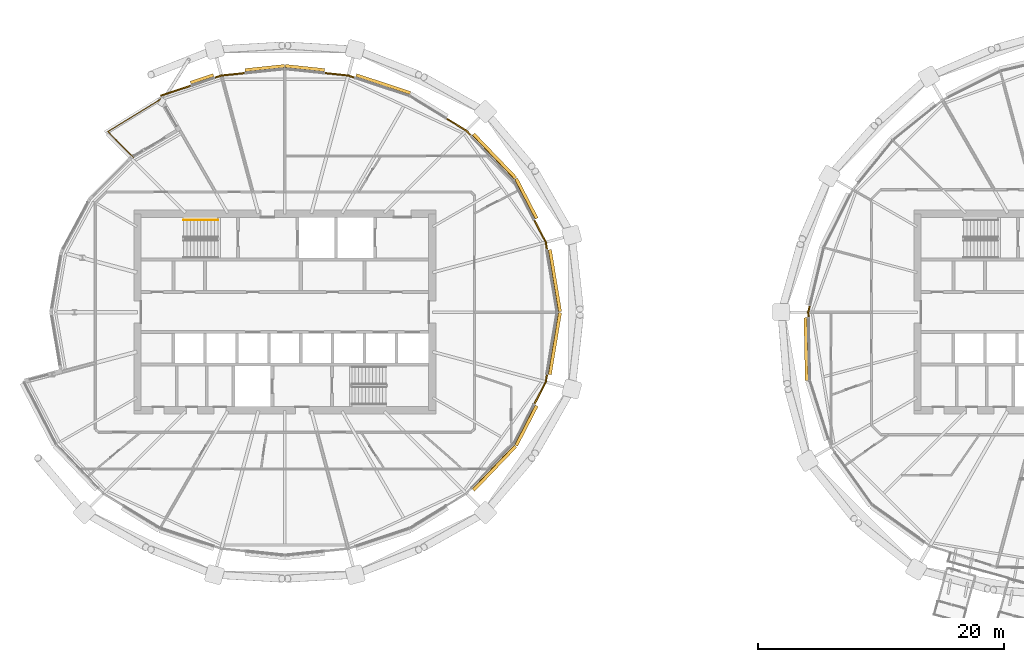
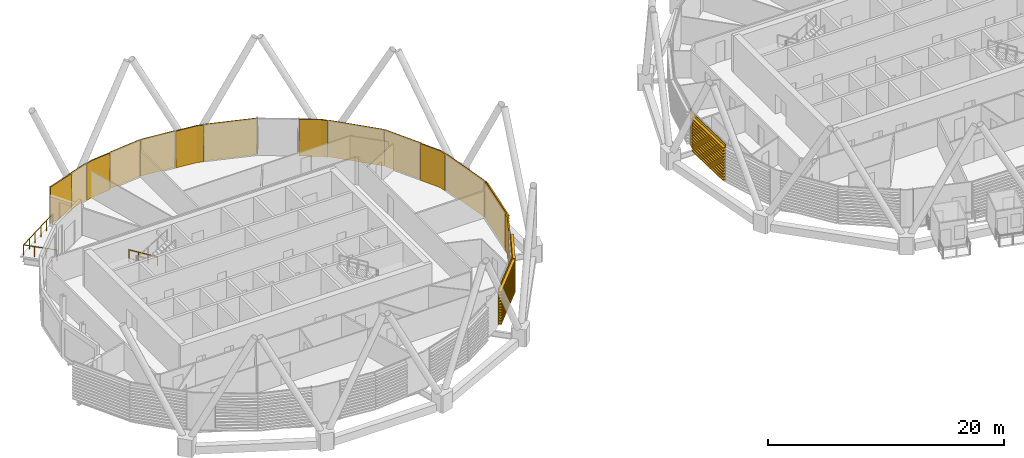
# One storey, part 33 of 37: 18 coverings, 2 railings.
"""IFC4 building model written with IfcOpenShell, lengths in metres."""

import ifcopenshell
import ifcopenshell.guid

model = None  # the IFC model being written
_history = None  # IfcOwnerHistory: only IFC2X3 demands one
_inside = {}  # id of a spatial element -> (the spatial element, [elements in it])
_under = {}  # id of a project, library or spatial element -> (it, [spatial elements below it])
_declared = {}  # id of a project -> (the project, [libraries it declares])
_typed = {}  # id of a type object -> (the type object, [elements of that type])
_made_of = {}  # id of a material, layer set ... -> (it, [elements and type objects made of it])


def new_model(schema):
    """Start an empty IFC model of exactly this schema.

    Asked for "IFC4X3", IfcOpenShell would pick the latest addendum, in which some entities
    have other attributes; the version numbers below select the first issue.
    IFC2X3 requires an IfcOwnerHistory on every rooted entity: one is made here for all.
    """
    global model, _history
    if schema == "IFC4X3":
        model = ifcopenshell.file(schema_version=(4, 3, 0, 0))
    else:
        model = ifcopenshell.file(schema=schema)
    _inside.clear()
    _under.clear()
    _declared.clear()
    _typed.clear()
    _made_of.clear()
    _history = None
    if model.schema == "IFC2X3":
        org = make("IfcOrganization", Name="unknown")
        user = make(
            "IfcPersonAndOrganization",
            ThePerson=make("IfcPerson", FamilyName="unknown"),
            TheOrganization=org,
        )
        app = make(
            "IfcApplication",
            ApplicationDeveloper=org,
            Version="unknown",
            ApplicationFullName="unknown",
            ApplicationIdentifier="unknown",
        )
        _history = make(
            "IfcOwnerHistory",
            OwningUser=user,
            OwningApplication=app,
            ChangeAction="ADDED",
            CreationDate=0,
        )
    return model


def make(cls, **values):
    """One entity of the class cls with the attributes given. An attribute that is None is left unset."""
    return model.create_entity(
        cls, **{name: value for name, value in values.items() if value is not None}
    )


def rooted(cls, **values):
    """An entity with a GlobalId (a new one), such as an element, a storey or a relation."""
    return make(cls, GlobalId=ifcopenshell.guid.new(), OwnerHistory=_history, **values)


def si_unit(unit_type, name, prefix=None):
    """IfcSIUnit, for example si_unit("LENGTHUNIT", "METRE", prefix="MILLI")."""
    return make("IfcSIUnit", UnitType=unit_type, Prefix=prefix, Name=name)


def assignment(units):
    """IfcUnitAssignment: the units of a project."""
    return None if units is None else make("IfcUnitAssignment", Units=units)


def point(xyz):
    """IfcCartesianPoint."""
    return None if xyz is None else make("IfcCartesianPoint", Coordinates=xyz)


def direction(xyz):
    """IfcDirection."""
    return None if xyz is None else make("IfcDirection", DirectionRatios=xyz)


def frame(location, z_axis=None, x_axis=None):
    """IfcAxis2Placement3D, a coordinate frame: its origin and axes. An axis left out is left unset."""
    return make(
        "IfcAxis2Placement3D",
        Location=point(location),
        Axis=direction(z_axis),
        RefDirection=direction(x_axis),
    )


def frame_2d(location, x_axis=None):
    """IfcAxis2Placement2D, a coordinate frame in the plane: its origin and x axis."""
    return make(
        "IfcAxis2Placement2D", Location=point(location), RefDirection=direction(x_axis)
    )


def origin():
    """The frame at (0, 0, 0) with its axes left unset."""
    return frame((0.0, 0.0, 0.0))


def origin_2d():
    """The frame at (0, 0) in the plane with its x axis left unset."""
    return frame_2d((0.0, 0.0))


def place(relative_to, where):
    """IfcLocalPlacement: puts the frame where relative to a parent placement (None: the world)."""
    return make(
        "IfcLocalPlacement", PlacementRelTo=relative_to, RelativePlacement=where
    )


def context(
    kind, dimensions, precision=None, world=None, true_north=None, identifier=None
):
    """IfcGeometricRepresentationContext, for example the 3D "Model" context."""
    return make(
        "IfcGeometricRepresentationContext",
        ContextIdentifier=identifier,
        ContextType=kind,
        CoordinateSpaceDimension=dimensions,
        Precision=precision,
        WorldCoordinateSystem=world,
        TrueNorth=true_north,
    )


def subcontext(parent, identifier, kind, view, scale=None):
    """IfcGeometricRepresentationSubContext, for example "Body" below "Model"."""
    return make(
        "IfcGeometricRepresentationSubContext",
        ContextIdentifier=identifier,
        ContextType=kind,
        ParentContext=parent,
        TargetScale=scale,
        TargetView=view,
    )


def project(units=None, contexts=None):
    """IfcProject with its units and contexts."""
    return rooted(
        "IfcProject",
        Name="project",
        RepresentationContexts=contexts,
        UnitsInContext=assignment(units),
    )


def spatial(cls, under=None, at=None, **own):
    """A site, building, storey or space (cls), placed at a placement, below another one or the project."""
    s = rooted(cls, ObjectPlacement=at, **own)
    if under is not None:
        _under.setdefault(under.id(), (under, []))[1].append(s)
    return s


def polyline(points):
    """IfcPolyline through the points."""
    return make("IfcPolyline", Points=[point(p) for p in points])


def profile(cls, at=None, kind="AREA", **sizes):
    """A parametric profile (cls). Its sizes go by their IFC names, for example OverallWidth=200.0."""
    return make(cls, ProfileType=kind, Position=at, **sizes)


def circle(**sizes):
    """IfcCircleProfileDef."""
    return profile("IfcCircleProfileDef", **sizes)


def outline(outer, holes=None, kind="AREA"):
    """IfcArbitraryClosedProfileDef: a profile drawn as a closed curve; with holes, ...WithVoids."""
    if holes is None:
        return make("IfcArbitraryClosedProfileDef", ProfileType=kind, OuterCurve=outer)
    return make(
        "IfcArbitraryProfileDefWithVoids",
        ProfileType=kind,
        OuterCurve=outer,
        InnerCurves=holes,
    )


def extrude(swept, where, along, depth):
    """IfcExtrudedAreaSolid: the profile swept, set in the frame where, extruded along a direction by depth."""
    return make(
        "IfcExtrudedAreaSolid",
        SweptArea=swept,
        Position=where,
        ExtrudedDirection=direction(along),
        Depth=depth,
    )


def shape(context_of_items, identifier, shape_type, items):
    """IfcShapeRepresentation: the items that make up one representation, for example the "Body"."""
    return make(
        "IfcShapeRepresentation",
        ContextOfItems=context_of_items,
        RepresentationIdentifier=identifier,
        RepresentationType=shape_type,
        Items=items,
    )


def material(Name=None, Category=None):
    """IfcMaterial."""
    return make("IfcMaterial", Name=Name, Category=Category)


def layer(
    of_material, thickness, ventilated=None, Name=None, Category=None, Priority=None
):
    """IfcMaterialLayer: one layer of a wall or slab, of a material (None: an air gap)."""
    return make(
        "IfcMaterialLayer",
        Material=of_material,
        LayerThickness=thickness,
        IsVentilated=ventilated,
        Name=Name,
        Category=Category,
        Priority=Priority,
    )


def layer_set(layers, Name=None):
    """IfcMaterialLayerSet."""
    return make("IfcMaterialLayerSet", MaterialLayers=layers, LayerSetName=Name)


def material_profile(
    of_material, cross_section, Name=None, Category=None, Priority=None
):
    """IfcMaterialProfile: a cross section and its material."""
    return make(
        "IfcMaterialProfile",
        Name=Name,
        Material=of_material,
        Profile=cross_section,
        Priority=Priority,
        Category=Category,
    )


def profile_set(profiles, Name=None, composite=None):
    """IfcMaterialProfileSet."""
    return make(
        "IfcMaterialProfileSet",
        Name=Name,
        MaterialProfiles=profiles,
        CompositeProfile=composite,
    )


def made_of(thing, what):
    """Note that an element or type object is made of a material, layer set ...; save() writes the relation."""
    if what is not None:
        _made_of.setdefault(what.id(), (what, []))[1].append(thing)
    return thing


def type_object(cls, material=None, **own):
    """A type object (cls), such as IfcWallType, which elements share."""
    return made_of(rooted(cls, **own), material)


def element(
    cls,
    number,
    at=None,
    inside=None,
    cuts=None,
    type_object=None,
    material=None,
    context=None,
    identifier="Body",
    shape_type=None,
    held_by="IfcProductDefinitionShape",
    body=None,
    shapes=None,
    **own,
):
    """One element of the class cls, such as IfcWall. Its Tag is "e" and its number.

    at: its placement. inside: the storey or other place that contains it. cuts: it is an
    opening in that element (IfcRelVoidsElement). A single representation is given by context,
    identifier, shape_type and body (its items); several are given by shapes. held_by: the class
    of the entity that holds the representations. save() writes the other relations.
    """
    e = rooted(cls, Tag="e%d" % number, ObjectPlacement=at, **own)
    if body is not None:
        shapes = [shape(context, identifier, shape_type, body)]
    if shapes is not None:
        e.Representation = make(held_by, Representations=shapes)
    if inside is not None:
        _inside.setdefault(inside.id(), (inside, []))[1].append(e)
    if cuts is not None:
        rooted(
            "IfcRelVoidsElement", RelatingBuildingElement=cuts, RelatedOpeningElement=e
        )
    if type_object is not None:
        _typed.setdefault(type_object.id(), (type_object, []))[1].append(e)
    return made_of(e, material)


def aggregate(whole, parts):
    """IfcRelAggregates: a whole, such as a stair, and the parts it consists of."""
    return rooted("IfcRelAggregates", RelatingObject=whole, RelatedObjects=parts)


def save(model, path):
    """Write the relations noted so far, then the file.

    IfcRelAggregates (storeys below a building ...), IfcRelContainedInSpatialStructure (elements
    in a storey), IfcRelDefinesByType, IfcRelAssociatesMaterial and IfcRelDeclares: one each for
    every whole, place, type object, material and project.
    """
    for whole, parts in _under.values():
        aggregate(whole, parts)
    for where, things in _inside.values():
        rooted(
            "IfcRelContainedInSpatialStructure",
            RelatedElements=things,
            RelatingStructure=where,
        )
    for kind, things in _typed.values():
        rooted("IfcRelDefinesByType", RelatedObjects=things, RelatingType=kind)
    for what, things in _made_of.values():
        rooted("IfcRelAssociatesMaterial", RelatedObjects=things, RelatingMaterial=what)
    for by, libraries in _declared.values():
        rooted("IfcRelDeclares", RelatingContext=by, RelatedDefinitions=libraries)
    model.write(path)


model = new_model("IFC4")

# Units and contexts
model_context = context("Model", 3, precision=1e-05, world=origin(), true_north=direction((0.0, 1.0)))
body_context = subcontext(model_context, "Body", "Model", "MODEL_VIEW")
ifc_project = project(units=[si_unit("LENGTHUNIT", "METRE"), si_unit("AREAUNIT", "SQUARE_METRE"), si_unit("VOLUMEUNIT", "CUBIC_METRE"), si_unit("PLANEANGLEUNIT", "RADIAN"), si_unit("MASSUNIT", "GRAM", prefix="KILO")], contexts=[model_context])

# Site, building, storey
site_placement = place(None, origin())
site = spatial("IfcSite", under=ifc_project, at=site_placement, CompositionType="ELEMENT")
building_placement = place(site_placement, origin())
building = spatial("IfcBuilding", under=site, at=building_placement, Name="Rimbun Link Towers", CompositionType="ELEMENT")
storey_placement = place(building_placement, frame((0.0, 0.0, 170.300048828125)))
storey = spatial("IfcBuildingStorey", under=building, at=storey_placement, Name="L41", CompositionType="ELEMENT", Elevation=170.300048828125)

# Railing
ifc_material_1 = material(Name="Stainless steel grade 316", Category="steel")
railing_type_1 = type_object("IfcRailingType", Name="GUARD stainless rail and posts", PredefinedType="GUARDRAIL", material=ifc_material_1)
railing_1_placement = place(storey_placement, frame((-41.780029296875, 17.383056640625, 0.0)))
element("IfcRailing", 1, at=railing_1_placement, inside=storey, type_object=railing_type_1, Name="GUARD", PredefinedType="GUARDRAIL", context=body_context, shape_type="SweptSolid", body=[
    extrude(circle(Radius=0.02392578125, at=origin_2d()), frame((0.0, 0.0, 1.076171875), z_axis=(-0.852205778347, -0.523206757748, 0.0), x_axis=(0.523206757748, -0.852205778347, 0.0)), (0.0, 0.0, 1.0), 5.140380859375),
    extrude(circle(Radius=0.02392578125, at=origin_2d()), frame((-4.380615234375, -2.689453125, 1.076171875), z_axis=(0.707065353599, -0.707148206347, 0.0), x_axis=(0.707148206347, 0.707065353599, 0.0)), (0.0, 0.0, 1.0), 2.94677734375),
    extrude(circle(Radius=0.02099609375, at=origin_2d()), origin(), (0.0, 0.0, 1.0), 1.052001953125),
    extrude(circle(Radius=0.02099609375, at=origin_2d()), frame((-0.876220703125, -0.537841796875, 0.0)), (0.0, 0.0, 1.0), 1.052001953125),
    extrude(circle(Radius=0.02099609375, at=origin_2d()), frame((-1.752197265625, -1.07568359375, 0.0)), (0.0, 0.0, 1.0), 1.052001953125),
    extrude(circle(Radius=0.02099609375, at=origin_2d()), frame((-2.62841796875, -1.61376953125, 0.0)), (0.0, 0.0, 1.0), 1.052001953125),
    extrude(circle(Radius=0.02099609375, at=origin_2d()), frame((-3.50439453125, -2.151611328125, 0.0)), (0.0, 0.0, 1.0), 1.052001953125),
    extrude(circle(Radius=0.02099609375, at=origin_2d()), frame((-4.380615234375, -2.689453125, 0.0)), (0.0, 0.0, 1.0), 1.052001953125),
    extrude(circle(Radius=0.02099609375, at=origin_2d()), frame((-3.68603515625, -3.384033203125, 0.0)), (0.0, 0.0, 1.0), 1.052001953125),
    extrude(circle(Radius=0.02099609375, at=origin_2d()), frame((-2.99169921875, -4.07861328125, 0.0)), (0.0, 0.0, 1.0), 1.052001953125),
    extrude(circle(Radius=0.02099609375, at=origin_2d()), frame((-2.297119140625, -4.773193359375, 0.0)), (0.0, 0.0, 1.0), 1.052001953125),
])

# Coverings
ifc_material_2 = material(Name="Terracotta", Category="masonry")
ifc_layer = layer(ifc_material_2, 0.1201171875)
ifc_layer_set = layer_set([ifc_layer], Name="LINK PIER terracotta cladding 120")
covering_type_1 = type_object("IfcCoveringType", Name="LINK PIER terracotta cladding 120", PredefinedType="CLADDING", material=ifc_layer_set)
covering_1_placement = place(storey_placement, origin())
element("IfcCovering", 2, at=covering_1_placement, inside=storey, type_object=covering_type_1, Name="LINK PIER cladding", PredefinedType="CLADDING", context=body_context, shape_type="SweptSolid", body=[
    extrude(outline(polyline([(-11.4931640625, 7.470458984375), (-10.56494140625, 5.676513671875), (-10.46435546875, 5.064697265625), (-10.345947265625, 5.084228515625), (-10.449462890625, 5.71484375), (-11.38671875, 7.525634765625), (-11.4931640625, 7.470458984375)])), origin(), (0.0, 0.0, 1.0), 3.800048828125),
])
covering_2_placement = place(storey_placement, origin())
element("IfcCovering", 3, at=covering_2_placement, inside=storey, type_object=covering_type_1, Name="LINK PIER cladding", PredefinedType="CLADDING", context=body_context, shape_type="SweptSolid", body=[
    extrude(outline(polyline([(-18.6123046875, 15.709716796875), (-17.018798828125, 14.731201171875), (-16.624267578125, 14.31982421875), (-16.53759765625, 14.40283203125), (-16.94287109375, 14.825439453125), (-18.549560546875, 15.81201171875), (-18.6123046875, 15.709716796875)])), origin(), (0.0, 0.0, 1.0), 3.800048828125),
])
covering_3_placement = place(storey_placement, origin())
element("IfcCovering", 4, at=covering_3_placement, inside=storey, type_object=covering_type_1, Name="LINK PIER cladding", PredefinedType="CLADDING", context=body_context, shape_type="SweptSolid", body=[
    extrude(outline(polyline([(-28.512939453125, 19.40771484375), (-26.603515625, 19.20654296875), (-26.0625, 19.02734375), (-26.02490234375, 19.14111328125), (-26.578125, 19.324462890625), (-28.50048828125, 19.527099609375), (-28.512939453125, 19.40771484375)])), origin(), (0.0, 0.0, 1.0), 3.800048828125),
])
covering_4_placement = place(storey_placement, origin())
element("IfcCovering", 5, at=covering_4_placement, inside=storey, type_object=covering_type_1, Name="LINK PIER cladding", PredefinedType="CLADDING", context=body_context, shape_type="SweptSolid", body=[
    extrude(outline(polyline([(-41.856201171875, 17.56298828125), (-39.35009765625, 18.3935546875), (-39.387939453125, 18.50732421875), (-41.893798828125, 17.677001953125), (-41.856201171875, 17.56298828125)])), origin(), (0.0, 0.0, 1.0), 3.800048828125),
])
covering_5_placement = place(storey_placement, origin())
element("IfcCovering", 6, at=covering_5_placement, inside=storey, type_object=covering_type_1, Name="LINK PIER cladding", PredefinedType="CLADDING", context=body_context, shape_type="SweptSolid", body=[
    extrude(outline(polyline([(-37.4375, 19.02734375), (-36.896484375, 19.20654296875), (-34.987060546875, 19.40771484375), (-34.99951171875, 19.527099609375), (-36.921875, 19.324462890625), (-37.47509765625, 19.14111328125), (-37.4375, 19.02734375)])), origin(), (0.0, 0.0, 1.0), 3.800048828125),
])
covering_6_placement = place(storey_placement, origin())
element("IfcCovering", 7, at=covering_6_placement, inside=storey, type_object=covering_type_1, Name="LINK PIER cladding", PredefinedType="CLADDING", context=body_context, shape_type="SweptSolid", body=[
    extrude(outline(polyline([(-10.46435546875, -5.064697265625), (-10.56494140625, -5.676513671875), (-11.4931640625, -7.470458984375), (-11.38671875, -7.525634765625), (-10.449462890625, -5.71484375), (-10.345947265625, -5.084228515625), (-10.46435546875, -5.064697265625)])), origin(), (0.0, 0.0, 1.0), 3.800048828125),
])
covering_7_placement = place(storey_placement, origin())
element("IfcCovering", 8, at=covering_7_placement, inside=storey, type_object=covering_type_1, Name="LINK PIER cladding", PredefinedType="CLADDING", context=body_context, shape_type="SweptSolid", body=[
    extrude(outline(polyline([(10.92578125, -0.419921875), (10.9169921875, 0.0), (11.037841796875, 0.505859375), (10.921142578125, 0.53369140625), (10.796630859375, 0.012939453125), (10.8056640625, -0.42236328125), (10.92578125, -0.419921875)])), origin(), (0.0, 0.0, 1.0), 3.800048828125),
])

# Railing
ifc_material_3 = material(Name="Stainless steel grade 316", Category="steel")
railing_type_2 = type_object("IfcRailingType", Name="Stair handrail", PredefinedType="HANDRAIL", material=ifc_material_3)
railing_2_placement = place(storey_placement, frame((-37.199951171875, 7.5, 0.172607421875)))
element("IfcRailing", 9, at=railing_2_placement, inside=storey, type_object=railing_type_2, Name="L41 ST1 stair handrail 1", PredefinedType="HANDRAIL", context=body_context, shape_type="SweptSolid", body=[
    extrude(circle(Radius=0.02392578125, at=origin_2d()), frame((0.0, 0.0, 0.8759765625), z_axis=(-0.851089632645, 0.0, 0.525020415988), x_axis=(0.0, -1.0, 0.0)), (0.0, 0.0, 1.0), 3.2900390625),
    extrude(circle(Radius=0.02099609375, at=origin_2d()), origin(), (0.0, 0.0, 1.0), 0.851806640625),
    extrude(circle(Radius=0.02099609375, at=origin_2d()), frame((-0.933349609375, 0.0, 0.57568359375)), (0.0, 0.0, 1.0), 0.851806640625),
    extrude(circle(Radius=0.02099609375, at=origin_2d()), frame((-1.86669921875, 0.0, 1.151611328125)), (0.0, 0.0, 1.0), 0.851806640625),
    extrude(circle(Radius=0.02099609375, at=origin_2d()), frame((-2.800048828125, 0.0, 1.727294921875)), (0.0, 0.0, 1.0), 0.851806640625),
])

# Coverings
ifc_material_4 = material(Name="Terracotta", Category="masonry")
ifc_material_profile = material_profile(ifc_material_4, outline(polyline([(0.123046875, 0.0), (0.1630859375, 0.0), (0.1630859375, 0.10009765625), (0.423095703125, 0.10009765625), (0.423095703125, 0.219970703125), (0.1630859375, 0.219970703125), (0.1630859375, 0.39990234375), (0.423095703125, 0.39990234375), (0.423095703125, 0.52001953125), (0.1630859375, 0.52001953125), (0.1630859375, 0.699951171875), (0.423095703125, 0.699951171875), (0.423095703125, 0.820068359375), (0.1630859375, 0.820068359375), (0.1630859375, 1.0), (0.423095703125, 1.0), (0.423095703125, 1.1201171875), (0.1630859375, 1.1201171875), (0.1630859375, 1.300048828125), (0.423095703125, 1.300048828125), (0.423095703125, 1.419921875), (0.1630859375, 1.419921875), (0.1630859375, 1.60009765625), (0.423095703125, 1.60009765625), (0.423095703125, 1.719970703125), (0.1630859375, 1.719970703125), (0.1630859375, 1.89990234375), (0.423095703125, 1.89990234375), (0.423095703125, 2.02001953125), (0.1630859375, 2.02001953125), (0.1630859375, 2.199951171875), (0.423095703125, 2.199951171875), (0.423095703125, 2.320068359375), (0.1630859375, 2.320068359375), (0.1630859375, 2.5), (0.423095703125, 2.5), (0.423095703125, 2.6201171875), (0.1630859375, 2.6201171875), (0.1630859375, 2.800048828125), (0.423095703125, 2.800048828125), (0.423095703125, 2.919921875), (0.1630859375, 2.919921875), (0.1630859375, 3.10009765625), (0.423095703125, 3.10009765625), (0.423095703125, 3.219970703125), (0.1630859375, 3.219970703125), (0.1630859375, 3.39990234375), (0.423095703125, 3.39990234375), (0.423095703125, 3.52001953125), (0.1630859375, 3.52001953125), (0.1630859375, 3.800048828125), (0.123046875, 3.800048828125), (0.123046875, 0.0)])), Name="BAGUETTE 120X300")
ifc_profile_set = profile_set([ifc_material_profile], Name="Terracotta")
covering_type_2 = type_object("IfcCoveringType", Name="TERRACOTTA BAGUETTE 120X300 H3800", PredefinedType="CLADDING", material=ifc_profile_set)
covering_8_placement = place(storey_placement, frame((-10.45947265625, 5.03515625, 0.0), z_axis=(0.1622416992, -0.986751048158, 0.0), x_axis=(0.986751048158, 0.1622416992, 0.0)))
element("IfcCovering", 10, at=covering_8_placement, inside=storey, type_object=covering_type_2, Name="TERRACOTTA BAGUETTE", PredefinedType="CLADDING", context=body_context, shape_type="SweptSolid", body=[
    extrude(outline(polyline([(0.123046875, 0.0), (0.1630859375, 0.0), (0.1630859375, 0.10009765625), (0.423095703125, 0.10009765625), (0.423095703125, 0.219970703125), (0.1630859375, 0.219970703125), (0.1630859375, 0.39990234375), (0.423095703125, 0.39990234375), (0.423095703125, 0.52001953125), (0.1630859375, 0.52001953125), (0.1630859375, 0.699951171875), (0.423095703125, 0.699951171875), (0.423095703125, 0.820068359375), (0.1630859375, 0.820068359375), (0.1630859375, 1.0), (0.423095703125, 1.0), (0.423095703125, 1.1201171875), (0.1630859375, 1.1201171875), (0.1630859375, 1.300048828125), (0.423095703125, 1.300048828125), (0.423095703125, 1.419921875), (0.1630859375, 1.419921875), (0.1630859375, 1.60009765625), (0.423095703125, 1.60009765625), (0.423095703125, 1.719970703125), (0.1630859375, 1.719970703125), (0.1630859375, 1.89990234375), (0.423095703125, 1.89990234375), (0.423095703125, 2.02001953125), (0.1630859375, 2.02001953125), (0.1630859375, 2.199951171875), (0.423095703125, 2.199951171875), (0.423095703125, 2.320068359375), (0.1630859375, 2.320068359375), (0.1630859375, 2.5), (0.423095703125, 2.5), (0.423095703125, 2.6201171875), (0.1630859375, 2.6201171875), (0.1630859375, 2.800048828125), (0.423095703125, 2.800048828125), (0.423095703125, 2.919921875), (0.1630859375, 2.919921875), (0.1630859375, 3.10009765625), (0.423095703125, 3.10009765625), (0.423095703125, 3.219970703125), (0.1630859375, 3.219970703125), (0.1630859375, 3.39990234375), (0.423095703125, 3.39990234375), (0.423095703125, 3.52001953125), (0.1630859375, 3.52001953125), (0.1630859375, 3.800048828125), (0.123046875, 3.800048828125), (0.123046875, 0.0)])), origin(), (0.0, 0.0, 1.0), 5.102783203125),
])
covering_9_placement = place(storey_placement, frame((-13.176513671875, 10.723388671875, 0.0), z_axis=(0.459591128129, -0.888130618178, 0.0), x_axis=(0.888130618178, 0.459591128129, 0.0)))
element("IfcCovering", 11, at=covering_9_placement, inside=storey, type_object=covering_type_2, Name="TERRACOTTA BAGUETTE", PredefinedType="CLADDING", context=body_context, shape_type="SweptSolid", body=[
    extrude(outline(polyline([(0.123046875, 0.0), (0.1630859375, 0.0), (0.1630859375, 0.10009765625), (0.423095703125, 0.10009765625), (0.423095703125, 0.219970703125), (0.1630859375, 0.219970703125), (0.1630859375, 0.39990234375), (0.423095703125, 0.39990234375), (0.423095703125, 0.52001953125), (0.1630859375, 0.52001953125), (0.1630859375, 0.699951171875), (0.423095703125, 0.699951171875), (0.423095703125, 0.820068359375), (0.1630859375, 0.820068359375), (0.1630859375, 1.0), (0.423095703125, 1.0), (0.423095703125, 1.1201171875), (0.1630859375, 1.1201171875), (0.1630859375, 1.300048828125), (0.423095703125, 1.300048828125), (0.423095703125, 1.419921875), (0.1630859375, 1.419921875), (0.1630859375, 1.60009765625), (0.423095703125, 1.60009765625), (0.423095703125, 1.719970703125), (0.1630859375, 1.719970703125), (0.1630859375, 1.89990234375), (0.423095703125, 1.89990234375), (0.423095703125, 2.02001953125), (0.1630859375, 2.02001953125), (0.1630859375, 2.199951171875), (0.423095703125, 2.199951171875), (0.423095703125, 2.320068359375), (0.1630859375, 2.320068359375), (0.1630859375, 2.5), (0.423095703125, 2.5), (0.423095703125, 2.6201171875), (0.1630859375, 2.6201171875), (0.1630859375, 2.800048828125), (0.423095703125, 2.800048828125), (0.423095703125, 2.919921875), (0.1630859375, 2.919921875), (0.1630859375, 3.10009765625), (0.423095703125, 3.10009765625), (0.423095703125, 3.219970703125), (0.1630859375, 3.219970703125), (0.1630859375, 3.39990234375), (0.423095703125, 3.39990234375), (0.423095703125, 3.52001953125), (0.1630859375, 3.52001953125), (0.1630859375, 3.800048828125), (0.123046875, 3.800048828125), (0.123046875, 0.0)])), origin(), (0.0, 0.0, 1.0), 3.63232421875),
])
covering_10_placement = place(storey_placement, frame((-16.603515625, 14.298095703125, 0.0), z_axis=(0.692035988, -0.721863000377, 0.0), x_axis=(0.721863000377, 0.692035988, 0.0)))
element("IfcCovering", 12, at=covering_10_placement, inside=storey, type_object=covering_type_2, Name="TERRACOTTA BAGUETTE", PredefinedType="CLADDING", context=body_context, shape_type="SweptSolid", body=[
    extrude(outline(polyline([(0.123046875, 0.0), (0.1630859375, 0.0), (0.1630859375, 0.10009765625), (0.423095703125, 0.10009765625), (0.423095703125, 0.219970703125), (0.1630859375, 0.219970703125), (0.1630859375, 0.39990234375), (0.423095703125, 0.39990234375), (0.423095703125, 0.52001953125), (0.1630859375, 0.52001953125), (0.1630859375, 0.699951171875), (0.423095703125, 0.699951171875), (0.423095703125, 0.820068359375), (0.1630859375, 0.820068359375), (0.1630859375, 1.0), (0.423095703125, 1.0), (0.423095703125, 1.1201171875), (0.1630859375, 1.1201171875), (0.1630859375, 1.300048828125), (0.423095703125, 1.300048828125), (0.423095703125, 1.419921875), (0.1630859375, 1.419921875), (0.1630859375, 1.60009765625), (0.423095703125, 1.60009765625), (0.423095703125, 1.719970703125), (0.1630859375, 1.719970703125), (0.1630859375, 1.89990234375), (0.423095703125, 1.89990234375), (0.423095703125, 2.02001953125), (0.1630859375, 2.02001953125), (0.1630859375, 2.199951171875), (0.423095703125, 2.199951171875), (0.423095703125, 2.320068359375), (0.1630859375, 2.320068359375), (0.1630859375, 2.5), (0.423095703125, 2.5), (0.423095703125, 2.6201171875), (0.1630859375, 2.6201171875), (0.1630859375, 2.800048828125), (0.423095703125, 2.800048828125), (0.423095703125, 2.919921875), (0.1630859375, 2.919921875), (0.1630859375, 3.10009765625), (0.423095703125, 3.10009765625), (0.423095703125, 3.219970703125), (0.1630859375, 3.219970703125), (0.1630859375, 3.39990234375), (0.423095703125, 3.39990234375), (0.423095703125, 3.52001953125), (0.1630859375, 3.52001953125), (0.1630859375, 3.800048828125), (0.123046875, 3.800048828125), (0.123046875, 0.0)])), origin(), (0.0, 0.0, 1.0), 4.9521484375),
])
covering_11_placement = place(storey_placement, frame((-26.033935546875, 19.017822265625, 0.0), z_axis=(0.94924302077, -0.314543617834, 0.0), x_axis=(0.314543617834, 0.94924302077, 0.0)))
element("IfcCovering", 13, at=covering_11_placement, inside=storey, type_object=covering_type_2, Name="TERRACOTTA BAGUETTE", PredefinedType="CLADDING", context=body_context, shape_type="SweptSolid", body=[
    extrude(outline(polyline([(0.123046875, 0.0), (0.1630859375, 0.0), (0.1630859375, 0.10009765625), (0.423095703125, 0.10009765625), (0.423095703125, 0.219970703125), (0.1630859375, 0.219970703125), (0.1630859375, 0.39990234375), (0.423095703125, 0.39990234375), (0.423095703125, 0.52001953125), (0.1630859375, 0.52001953125), (0.1630859375, 0.699951171875), (0.423095703125, 0.699951171875), (0.423095703125, 0.820068359375), (0.1630859375, 0.820068359375), (0.1630859375, 1.0), (0.423095703125, 1.0), (0.423095703125, 1.1201171875), (0.1630859375, 1.1201171875), (0.1630859375, 1.300048828125), (0.423095703125, 1.300048828125), (0.423095703125, 1.419921875), (0.1630859375, 1.419921875), (0.1630859375, 1.60009765625), (0.423095703125, 1.60009765625), (0.423095703125, 1.719970703125), (0.1630859375, 1.719970703125), (0.1630859375, 1.89990234375), (0.423095703125, 1.89990234375), (0.423095703125, 2.02001953125), (0.1630859375, 2.02001953125), (0.1630859375, 2.199951171875), (0.423095703125, 2.199951171875), (0.423095703125, 2.320068359375), (0.1630859375, 2.320068359375), (0.1630859375, 2.5), (0.423095703125, 2.5), (0.423095703125, 2.6201171875), (0.1630859375, 2.6201171875), (0.1630859375, 2.800048828125), (0.423095703125, 2.800048828125), (0.423095703125, 2.919921875), (0.1630859375, 2.919921875), (0.1630859375, 3.10009765625), (0.423095703125, 3.10009765625), (0.423095703125, 3.219970703125), (0.1630859375, 3.219970703125), (0.1630859375, 3.39990234375), (0.423095703125, 3.39990234375), (0.423095703125, 3.52001953125), (0.1630859375, 3.52001953125), (0.1630859375, 3.800048828125), (0.123046875, 3.800048828125), (0.123046875, 0.0)])), origin(), (0.0, 0.0, 1.0), 4.65478515625),
])
for number, where, z_axis, x_axis, name in (
    (14, (-31.75, 19.74853515625, 0.0), (0.994503378528, -0.104704489381, 0.0), (0.104704489381, 0.994503378528, 0.0), "TERRACOTTA BAGUETTE"),
    (15, (-34.95703125, 19.410888671875, 0.0), (0.994503378528, 0.104704489381, 0.0), (-0.104704489381, 0.994503378528, 0.0), "TERRACOTTA BAGUETTE"),
):
    element("IfcCovering", number, at=place(storey_placement, frame(where, z_axis=z_axis, x_axis=x_axis)), inside=storey, type_object=covering_type_2, Name=name, PredefinedType="CLADDING", context=body_context, shape_type="SweptSolid", body=[
        extrude(outline(polyline([(0.123046875, 0.0), (0.1630859375, 0.0), (0.1630859375, 0.10009765625), (0.423095703125, 0.10009765625), (0.423095703125, 0.219970703125), (0.1630859375, 0.219970703125), (0.1630859375, 0.39990234375), (0.423095703125, 0.39990234375), (0.423095703125, 0.52001953125), (0.1630859375, 0.52001953125), (0.1630859375, 0.699951171875), (0.423095703125, 0.699951171875), (0.423095703125, 0.820068359375), (0.1630859375, 0.820068359375), (0.1630859375, 1.0), (0.423095703125, 1.0), (0.423095703125, 1.1201171875), (0.1630859375, 1.1201171875), (0.1630859375, 1.300048828125), (0.423095703125, 1.300048828125), (0.423095703125, 1.419921875), (0.1630859375, 1.419921875), (0.1630859375, 1.60009765625), (0.423095703125, 1.60009765625), (0.423095703125, 1.719970703125), (0.1630859375, 1.719970703125), (0.1630859375, 1.89990234375), (0.423095703125, 1.89990234375), (0.423095703125, 2.02001953125), (0.1630859375, 2.02001953125), (0.1630859375, 2.199951171875), (0.423095703125, 2.199951171875), (0.423095703125, 2.320068359375), (0.1630859375, 2.320068359375), (0.1630859375, 2.5), (0.423095703125, 2.5), (0.423095703125, 2.6201171875), (0.1630859375, 2.6201171875), (0.1630859375, 2.800048828125), (0.423095703125, 2.800048828125), (0.423095703125, 2.919921875), (0.1630859375, 2.919921875), (0.1630859375, 3.10009765625), (0.423095703125, 3.10009765625), (0.423095703125, 3.219970703125), (0.1630859375, 3.219970703125), (0.1630859375, 3.39990234375), (0.423095703125, 3.39990234375), (0.423095703125, 3.52001953125), (0.1630859375, 3.52001953125), (0.1630859375, 3.800048828125), (0.123046875, 3.800048828125), (0.123046875, 0.0)])), origin(), (0.0, 0.0, 1.0), 3.224853515625),
    ])
covering_12_placement = place(storey_placement, frame((-39.32177734375, 18.40283203125, 0.0), z_axis=(0.949231348555, 0.314578840549, 0.0), x_axis=(-0.314578840549, 0.949231348555, 0.0)))
element("IfcCovering", 16, at=covering_12_placement, inside=storey, type_object=covering_type_2, Name="TERRACOTTA BAGUETTE", PredefinedType="CLADDING", context=body_context, shape_type="SweptSolid", body=[
    extrude(outline(polyline([(0.123046875, 0.0), (0.1630859375, 0.0), (0.1630859375, 0.10009765625), (0.423095703125, 0.10009765625), (0.423095703125, 0.219970703125), (0.1630859375, 0.219970703125), (0.1630859375, 0.39990234375), (0.423095703125, 0.39990234375), (0.423095703125, 0.52001953125), (0.1630859375, 0.52001953125), (0.1630859375, 0.699951171875), (0.423095703125, 0.699951171875), (0.423095703125, 0.820068359375), (0.1630859375, 0.820068359375), (0.1630859375, 1.0), (0.423095703125, 1.0), (0.423095703125, 1.1201171875), (0.1630859375, 1.1201171875), (0.1630859375, 1.300048828125), (0.423095703125, 1.300048828125), (0.423095703125, 1.419921875), (0.1630859375, 1.419921875), (0.1630859375, 1.60009765625), (0.423095703125, 1.60009765625), (0.423095703125, 1.719970703125), (0.1630859375, 1.719970703125), (0.1630859375, 1.89990234375), (0.423095703125, 1.89990234375), (0.423095703125, 2.02001953125), (0.1630859375, 2.02001953125), (0.1630859375, 2.199951171875), (0.423095703125, 2.199951171875), (0.423095703125, 2.320068359375), (0.1630859375, 2.320068359375), (0.1630859375, 2.5), (0.423095703125, 2.5), (0.423095703125, 2.6201171875), (0.1630859375, 2.6201171875), (0.1630859375, 2.800048828125), (0.423095703125, 2.800048828125), (0.423095703125, 2.919921875), (0.1630859375, 2.919921875), (0.1630859375, 3.10009765625), (0.423095703125, 3.10009765625), (0.423095703125, 3.219970703125), (0.1630859375, 3.219970703125), (0.1630859375, 3.39990234375), (0.423095703125, 3.39990234375), (0.423095703125, 3.52001953125), (0.1630859375, 3.52001953125), (0.1630859375, 3.800048828125), (0.123046875, 3.800048828125), (0.123046875, 0.0)])), origin(), (0.0, 0.0, 1.0), 1.955078125),
])
covering_13_placement = place(storey_placement, frame((-13.176513671875, -10.723388671875, 0.0), z_axis=(-0.692035988, -0.721863000377, 0.0), x_axis=(0.721863000377, -0.692035988, 0.0)))
element("IfcCovering", 17, at=covering_13_placement, inside=storey, type_object=covering_type_2, Name="TERRACOTTA BAGUETTE", PredefinedType="CLADDING", context=body_context, shape_type="SweptSolid", body=[
    extrude(outline(polyline([(0.123046875, 0.0), (0.1630859375, 0.0), (0.1630859375, 0.10009765625), (0.423095703125, 0.10009765625), (0.423095703125, 0.219970703125), (0.1630859375, 0.219970703125), (0.1630859375, 0.39990234375), (0.423095703125, 0.39990234375), (0.423095703125, 0.52001953125), (0.1630859375, 0.52001953125), (0.1630859375, 0.699951171875), (0.423095703125, 0.699951171875), (0.423095703125, 0.820068359375), (0.1630859375, 0.820068359375), (0.1630859375, 1.0), (0.423095703125, 1.0), (0.423095703125, 1.1201171875), (0.1630859375, 1.1201171875), (0.1630859375, 1.300048828125), (0.423095703125, 1.300048828125), (0.423095703125, 1.419921875), (0.1630859375, 1.419921875), (0.1630859375, 1.60009765625), (0.423095703125, 1.60009765625), (0.423095703125, 1.719970703125), (0.1630859375, 1.719970703125), (0.1630859375, 1.89990234375), (0.423095703125, 1.89990234375), (0.423095703125, 2.02001953125), (0.1630859375, 2.02001953125), (0.1630859375, 2.199951171875), (0.423095703125, 2.199951171875), (0.423095703125, 2.320068359375), (0.1630859375, 2.320068359375), (0.1630859375, 2.5), (0.423095703125, 2.5), (0.423095703125, 2.6201171875), (0.1630859375, 2.6201171875), (0.1630859375, 2.800048828125), (0.423095703125, 2.800048828125), (0.423095703125, 2.919921875), (0.1630859375, 2.919921875), (0.1630859375, 3.10009765625), (0.423095703125, 3.10009765625), (0.423095703125, 3.219970703125), (0.1630859375, 3.219970703125), (0.1630859375, 3.39990234375), (0.423095703125, 3.39990234375), (0.423095703125, 3.52001953125), (0.1630859375, 3.52001953125), (0.1630859375, 3.800048828125), (0.123046875, 3.800048828125), (0.123046875, 0.0)])), origin(), (0.0, 0.0, 1.0), 4.9521484375),
])
covering_14_placement = place(storey_placement, frame((-11.507080078125, -7.497314453125, 0.0), z_axis=(-0.459591128129, -0.888130618178, 0.0), x_axis=(0.888130618178, -0.459591128129, 0.0)))
element("IfcCovering", 18, at=covering_14_placement, inside=storey, type_object=covering_type_2, Name="TERRACOTTA BAGUETTE", PredefinedType="CLADDING", context=body_context, shape_type="SweptSolid", body=[
    extrude(outline(polyline([(0.123046875, 0.0), (0.1630859375, 0.0), (0.1630859375, 0.10009765625), (0.423095703125, 0.10009765625), (0.423095703125, 0.219970703125), (0.1630859375, 0.219970703125), (0.1630859375, 0.39990234375), (0.423095703125, 0.39990234375), (0.423095703125, 0.52001953125), (0.1630859375, 0.52001953125), (0.1630859375, 0.699951171875), (0.423095703125, 0.699951171875), (0.423095703125, 0.820068359375), (0.1630859375, 0.820068359375), (0.1630859375, 1.0), (0.423095703125, 1.0), (0.423095703125, 1.1201171875), (0.1630859375, 1.1201171875), (0.1630859375, 1.300048828125), (0.423095703125, 1.300048828125), (0.423095703125, 1.419921875), (0.1630859375, 1.419921875), (0.1630859375, 1.60009765625), (0.423095703125, 1.60009765625), (0.423095703125, 1.719970703125), (0.1630859375, 1.719970703125), (0.1630859375, 1.89990234375), (0.423095703125, 1.89990234375), (0.423095703125, 2.02001953125), (0.1630859375, 2.02001953125), (0.1630859375, 2.199951171875), (0.423095703125, 2.199951171875), (0.423095703125, 2.320068359375), (0.1630859375, 2.320068359375), (0.1630859375, 2.5), (0.423095703125, 2.5), (0.423095703125, 2.6201171875), (0.1630859375, 2.6201171875), (0.1630859375, 2.800048828125), (0.423095703125, 2.800048828125), (0.423095703125, 2.919921875), (0.1630859375, 2.919921875), (0.1630859375, 3.10009765625), (0.423095703125, 3.10009765625), (0.423095703125, 3.219970703125), (0.1630859375, 3.219970703125), (0.1630859375, 3.39990234375), (0.423095703125, 3.39990234375), (0.423095703125, 3.52001953125), (0.1630859375, 3.52001953125), (0.1630859375, 3.800048828125), (0.123046875, 3.800048828125), (0.123046875, 0.0)])), origin(), (0.0, 0.0, 1.0), 3.63232421875),
])
covering_15_placement = place(storey_placement, frame((-9.631591796875, 0.0, 0.0), z_axis=(-0.1622416992, -0.986751048158, 0.0), x_axis=(0.986751048158, -0.1622416992, 0.0)))
element("IfcCovering", 19, at=covering_15_placement, inside=storey, type_object=covering_type_2, Name="TERRACOTTA BAGUETTE", PredefinedType="CLADDING", context=body_context, shape_type="SweptSolid", body=[
    extrude(outline(polyline([(0.123046875, 0.0), (0.1630859375, 0.0), (0.1630859375, 0.10009765625), (0.423095703125, 0.10009765625), (0.423095703125, 0.219970703125), (0.1630859375, 0.219970703125), (0.1630859375, 0.39990234375), (0.423095703125, 0.39990234375), (0.423095703125, 0.52001953125), (0.1630859375, 0.52001953125), (0.1630859375, 0.699951171875), (0.423095703125, 0.699951171875), (0.423095703125, 0.820068359375), (0.1630859375, 0.820068359375), (0.1630859375, 1.0), (0.423095703125, 1.0), (0.423095703125, 1.1201171875), (0.1630859375, 1.1201171875), (0.1630859375, 1.300048828125), (0.423095703125, 1.300048828125), (0.423095703125, 1.419921875), (0.1630859375, 1.419921875), (0.1630859375, 1.60009765625), (0.423095703125, 1.60009765625), (0.423095703125, 1.719970703125), (0.1630859375, 1.719970703125), (0.1630859375, 1.89990234375), (0.423095703125, 1.89990234375), (0.423095703125, 2.02001953125), (0.1630859375, 2.02001953125), (0.1630859375, 2.199951171875), (0.423095703125, 2.199951171875), (0.423095703125, 2.320068359375), (0.1630859375, 2.320068359375), (0.1630859375, 2.5), (0.423095703125, 2.5), (0.423095703125, 2.6201171875), (0.1630859375, 2.6201171875), (0.1630859375, 2.800048828125), (0.423095703125, 2.800048828125), (0.423095703125, 2.919921875), (0.1630859375, 2.919921875), (0.1630859375, 3.10009765625), (0.423095703125, 3.10009765625), (0.423095703125, 3.219970703125), (0.1630859375, 3.219970703125), (0.1630859375, 3.39990234375), (0.423095703125, 3.39990234375), (0.423095703125, 3.52001953125), (0.1630859375, 3.52001953125), (0.1630859375, 3.800048828125), (0.123046875, 3.800048828125), (0.123046875, 0.0)])), origin(), (0.0, 0.0, 1.0), 5.102783203125),
])
covering_16_placement = place(storey_placement, frame((11.03369140625, -5.55078125, 0.0), z_axis=(-0.021055016521, 0.999778318568, 0.0), x_axis=(-0.999778318568, -0.021055016521, 0.0)))
element("IfcCovering", 20, at=covering_16_placement, inside=storey, type_object=covering_type_2, Name="TERRACOTTA BAGUETTE", PredefinedType="CLADDING", context=body_context, shape_type="SweptSolid", body=[
    extrude(outline(polyline([(0.123046875, 0.0), (0.1630859375, 0.0), (0.1630859375, 0.10009765625), (0.423095703125, 0.10009765625), (0.423095703125, 0.219970703125), (0.1630859375, 0.219970703125), (0.1630859375, 0.39990234375), (0.423095703125, 0.39990234375), (0.423095703125, 0.52001953125), (0.1630859375, 0.52001953125), (0.1630859375, 0.699951171875), (0.423095703125, 0.699951171875), (0.423095703125, 0.820068359375), (0.1630859375, 0.820068359375), (0.1630859375, 1.0), (0.423095703125, 1.0), (0.423095703125, 1.1201171875), (0.1630859375, 1.1201171875), (0.1630859375, 1.300048828125), (0.423095703125, 1.300048828125), (0.423095703125, 1.419921875), (0.1630859375, 1.419921875), (0.1630859375, 1.60009765625), (0.423095703125, 1.60009765625), (0.423095703125, 1.719970703125), (0.1630859375, 1.719970703125), (0.1630859375, 1.89990234375), (0.423095703125, 1.89990234375), (0.423095703125, 2.02001953125), (0.1630859375, 2.02001953125), (0.1630859375, 2.199951171875), (0.423095703125, 2.199951171875), (0.423095703125, 2.320068359375), (0.1630859375, 2.320068359375), (0.1630859375, 2.5), (0.423095703125, 2.5), (0.423095703125, 2.6201171875), (0.1630859375, 2.6201171875), (0.1630859375, 2.800048828125), (0.423095703125, 2.800048828125), (0.423095703125, 2.919921875), (0.1630859375, 2.919921875), (0.1630859375, 3.10009765625), (0.423095703125, 3.10009765625), (0.423095703125, 3.219970703125), (0.1630859375, 3.219970703125), (0.1630859375, 3.39990234375), (0.423095703125, 3.39990234375), (0.423095703125, 3.52001953125), (0.1630859375, 3.52001953125), (0.1630859375, 3.800048828125), (0.123046875, 3.800048828125), (0.123046875, 0.0)])), origin(), (0.0, 0.0, 1.0), 5.10205078125),
])

save(model, "model.ifc")
